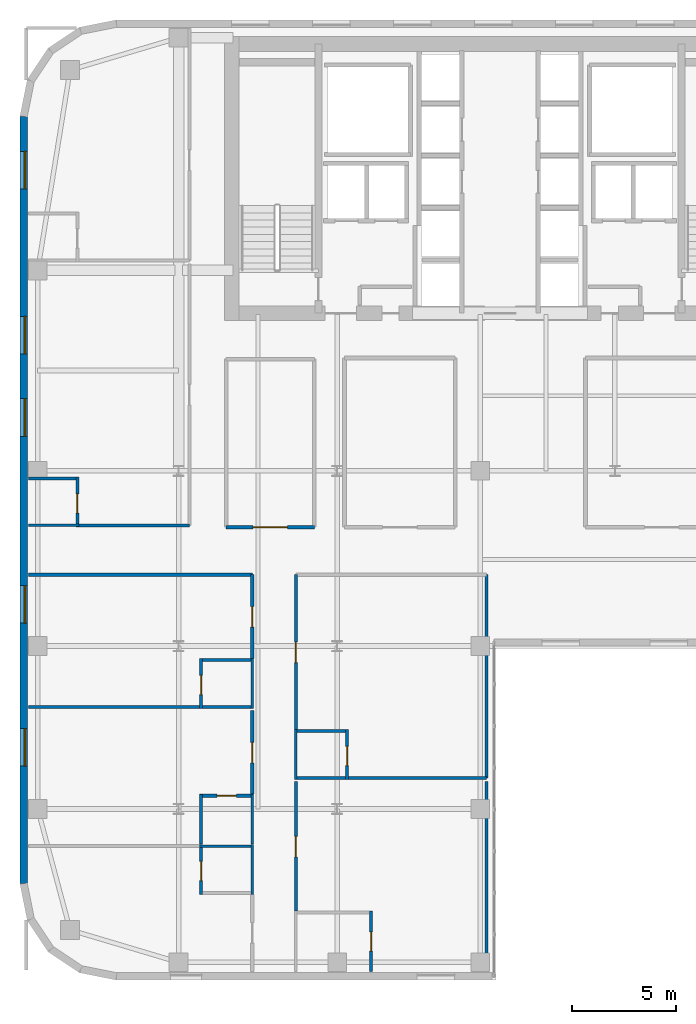
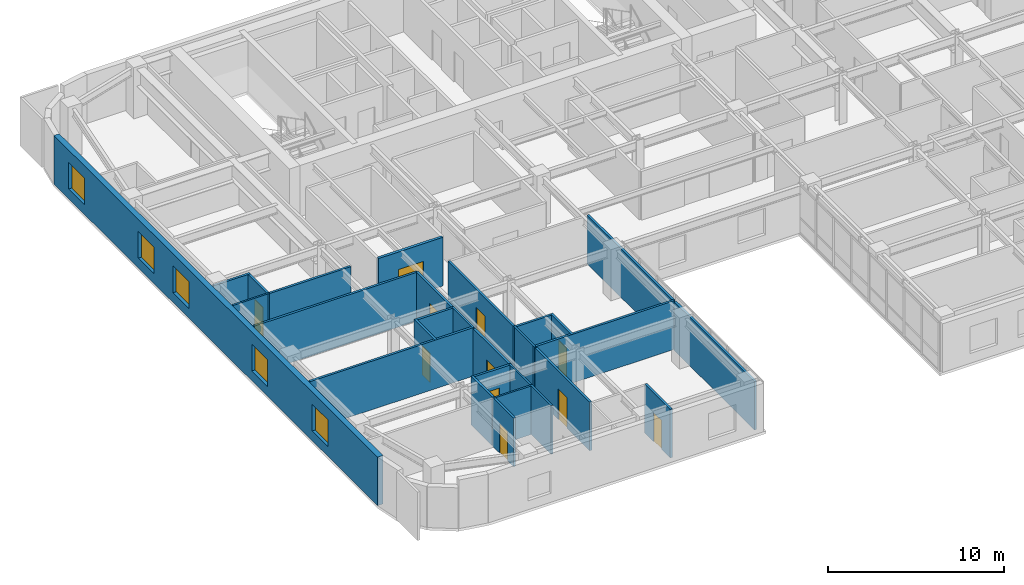
# One storey, part 10 of 16: 28 walls, 11 doors, 5 windows, 16 openings.
"""IFC4 building model written with IfcOpenShell, lengths in metres."""

from ifc_helpers import new_model, si_unit, direction, frame, frame_2d, origin, place, context, subcontext, project, spatial, rectangle, extrude, source, transform, mapped, material, layer, layer_set, type_object, type_shapes, element, fill, save


model = new_model("IFC4")

# Units and contexts
model_context = context("Model", 3, precision=1e-05, world=origin(), true_north=direction((0.0, 1.0)))
body_context = subcontext(model_context, "Body", "Model", "MODEL_VIEW")
ifc_project = project(units=[si_unit("LENGTHUNIT", "METRE"), si_unit("AREAUNIT", "SQUARE_METRE"), si_unit("VOLUMEUNIT", "CUBIC_METRE"), si_unit("PLANEANGLEUNIT", "RADIAN"), si_unit("MASSUNIT", "GRAM", prefix="KILO")], contexts=[model_context])

# Site, building, storey
site_placement = place(None, origin())
site = spatial("IfcSite", under=ifc_project, at=site_placement, CompositionType="ELEMENT")
building_placement = place(site_placement, origin())
building = spatial("IfcBuilding", under=site, at=building_placement, Name="Tolvann Quenvar Hotel", CompositionType="ELEMENT")
storey_placement = place(building_placement, frame((0.0, 0.0, 115.10009765625)))
storey = spatial("IfcBuildingStorey", under=building, at=storey_placement, Name="L29", CompositionType="ELEMENT", Elevation=115.10009765625)

# Wall, openings, windows
ifc_material_1 = material(Name="Kiln-fired red and buff architectural clay brickwork and terracotta masonry", Category="masonry")
ifc_layer_1 = layer(ifc_material_1, 0.35009765625)
ifc_layer_set_1 = layer_set([ifc_layer_1], Name="Kiln-fired red and buff architectural clay brickwork and terracotta masonry")
wall_type_1 = type_object("IfcWallType", Name="WALL_EXT_BRICK_350", PredefinedType="SOLIDWALL", material=ifc_layer_set_1)
wall_1_placement = place(storey_placement, frame((0.175048828125, 41.3828125, 0.0), z_axis=(0.0, 0.0, 1.0), x_axis=(0.0, -1.0, 0.0)))
wall_1 = element("IfcWall", 1, at=wall_1_placement, inside=storey, type_object=wall_type_1, Name="Exterior Chicago Brick Wall L29-E23", PredefinedType="SOLIDWALL", context=body_context, shape_type="SweptSolid", body=[
    extrude(rectangle(XDim=36.765625, YDim=0.35009765625, at=frame_2d((18.3828125, 0.0))), origin(), (0.0, 0.0, 1.0), 3.369873046875),
])
opening_1_placement = place(wall_1_placement, frame((1.676025390625, 0.0, 0.679931640625)))
opening_1 = element("IfcOpeningElement", 2, at=opening_1_placement, cuts=wall_1, Name="Opening W-03", PredefinedType="OPENING", context=body_context, shape_type="SweptSolid", body=[
    extrude(rectangle(XDim=1.800048828125, YDim=1.85009765625, at=frame_2d((0.89990234375, 0.925048828125))), frame((0.0, 0.18505859375, 0.0), z_axis=(0.0, -1.0, 0.0), x_axis=(1.0, 0.0, 0.0)), (0.0, 0.0, 1.0), 0.3701171875),
])
opening_2_placement = place(wall_1_placement, frame((9.5791015625, 0.0, 0.679931640625)))
opening_2 = element("IfcOpeningElement", 3, at=opening_2_placement, cuts=wall_1, Name="Opening W-03", PredefinedType="OPENING", context=body_context, shape_type="SweptSolid", body=[
    extrude(rectangle(XDim=1.800048828125, YDim=1.85009765625, at=frame_2d((0.89990234375, 0.925048828125))), frame((0.0, 0.18505859375, 0.0), z_axis=(0.0, -1.0, 0.0), x_axis=(1.0, 0.0, 0.0)), (0.0, 0.0, 1.0), 0.3701171875),
])
opening_3_placement = place(wall_1_placement, frame((13.531005859375, 0.0, 0.679931640625)))
opening_3 = element("IfcOpeningElement", 4, at=opening_3_placement, cuts=wall_1, Name="Opening W-03", PredefinedType="OPENING", context=body_context, shape_type="SweptSolid", body=[
    extrude(rectangle(XDim=1.800048828125, YDim=1.85009765625, at=frame_2d((0.89990234375, 0.925048828125))), frame((0.0, 0.18505859375, 0.0), z_axis=(0.0, -1.0, 0.0), x_axis=(1.0, 0.0, 0.0)), (0.0, 0.0, 1.0), 0.3701171875),
])
opening_4_placement = place(wall_1_placement, frame((22.485107421875, 0.0, 0.679931640625)))
opening_4 = element("IfcOpeningElement", 5, at=opening_4_placement, cuts=wall_1, Name="Opening W-03", PredefinedType="OPENING", context=body_context, shape_type="SweptSolid", body=[
    extrude(rectangle(XDim=1.800048828125, YDim=1.85009765625, at=frame_2d((0.89990234375, 0.925048828125))), frame((0.0, 0.18505859375, 0.0), z_axis=(0.0, -1.0, 0.0), x_axis=(1.0, 0.0, 0.0)), (0.0, 0.0, 1.0), 0.3701171875),
])
opening_5_placement = place(wall_1_placement, frame((29.337890625, 0.0, 0.679931640625)))
opening_5 = element("IfcOpeningElement", 6, at=opening_5_placement, cuts=wall_1, Name="Opening W-03", PredefinedType="OPENING", context=body_context, shape_type="SweptSolid", body=[
    extrude(rectangle(XDim=1.800048828125, YDim=1.85009765625, at=frame_2d((0.89990234375, 0.925048828125))), frame((0.0, 0.18505859375, 0.0), z_axis=(0.0, -1.0, 0.0), x_axis=(1.0, 0.0, 0.0)), (0.0, 0.0, 1.0), 0.3701171875),
])
ifc_material_2 = material(Name="Thermally broken bronze-anodised aluminium frame with double low-E glazing", Category="aluminium")
window_type = type_object("IfcWindowType", Name="WIN_CHI_1800x2050", PartitioningType="TRIPLE_PANEL_HORIZONTAL", PredefinedType="WINDOW", material=ifc_material_2)
shared_shape_1 = source(origin(), body_context, "Body", "SweptSolid", [
    extrude(rectangle(XDim=1.800048828125, YDim=1.85009765625, at=frame_2d((0.89990234375, 0.925048828125))), frame((0.0, 0.090087890625, 0.0), z_axis=(0.0, -1.0, 0.0), x_axis=(1.0, 0.0, 0.0)), (0.0, 0.0, 1.0), 0.06005859375),
])
type_shapes(window_type, [shared_shape_1])
window_1_placement = place(opening_1_placement, origin())
window_1 = element("IfcWindow", 7, at=window_1_placement, inside=storey, type_object=window_type, Name="Chicago Window W-03 (EW-L29-E23-W01)", OverallHeight=1.85009765625, OverallWidth=1.800048828125, PartitioningType="TRIPLE_PANEL_HORIZONTAL", PredefinedType="WINDOW", context=body_context, shape_type="MappedRepresentation", body=[
    mapped(shared_shape_1, transform((0.0, 0.0, 0.0), x_axis=(1.0, 0.0, 0.0), y_axis=(0.0, 1.0, 0.0), z_axis=(0.0, 0.0, 1.0), scale=1.0)),
])
fill(opening_1, window_1)
window_2_placement = place(opening_2_placement, origin())
window_2 = element("IfcWindow", 8, at=window_2_placement, inside=storey, type_object=window_type, Name="Chicago Window W-03 (EW-L29-E23-W02)", OverallHeight=1.85009765625, OverallWidth=1.800048828125, PartitioningType="TRIPLE_PANEL_HORIZONTAL", PredefinedType="WINDOW", context=body_context, shape_type="MappedRepresentation", body=[
    mapped(shared_shape_1, transform((0.0, 0.0, 0.0), x_axis=(1.0, 0.0, 0.0), y_axis=(0.0, 1.0, 0.0), z_axis=(0.0, 0.0, 1.0), scale=1.0)),
])
fill(opening_2, window_2)
window_3_placement = place(opening_3_placement, origin())
window_3 = element("IfcWindow", 9, at=window_3_placement, inside=storey, type_object=window_type, Name="Chicago Window W-03 (EW-L29-E23-W03)", OverallHeight=1.85009765625, OverallWidth=1.800048828125, PartitioningType="TRIPLE_PANEL_HORIZONTAL", PredefinedType="WINDOW", context=body_context, shape_type="MappedRepresentation", body=[
    mapped(shared_shape_1, transform((0.0, 0.0, 0.0), x_axis=(1.0, 0.0, 0.0), y_axis=(0.0, 1.0, 0.0), z_axis=(0.0, 0.0, 1.0), scale=1.0)),
])
fill(opening_3, window_3)
window_4_placement = place(opening_4_placement, origin())
window_4 = element("IfcWindow", 10, at=window_4_placement, inside=storey, type_object=window_type, Name="Chicago Window W-03 (EW-L29-E23-W04)", OverallHeight=1.85009765625, OverallWidth=1.800048828125, PartitioningType="TRIPLE_PANEL_HORIZONTAL", PredefinedType="WINDOW", context=body_context, shape_type="MappedRepresentation", body=[
    mapped(shared_shape_1, transform((0.0, 0.0, 0.0), x_axis=(1.0, 0.0, 0.0), y_axis=(0.0, 1.0, 0.0), z_axis=(0.0, 0.0, 1.0), scale=1.0)),
])
fill(opening_4, window_4)
window_5_placement = place(opening_5_placement, origin())
window_5 = element("IfcWindow", 11, at=window_5_placement, inside=storey, type_object=window_type, Name="Chicago Window W-03 (EW-L29-E23-W05)", OverallHeight=1.85009765625, OverallWidth=1.800048828125, PartitioningType="TRIPLE_PANEL_HORIZONTAL", PredefinedType="WINDOW", context=body_context, shape_type="MappedRepresentation", body=[
    mapped(shared_shape_1, transform((0.0, 0.0, 0.0), x_axis=(1.0, 0.0, 0.0), y_axis=(0.0, 1.0, 0.0), z_axis=(0.0, 0.0, 1.0), scale=1.0)),
])
fill(opening_5, window_5)

# Wall, opening, door
ifc_material_3 = material(Name="Acoustic twin-stud fire-rated gypsum plasterboard partition")
ifc_layer_2 = layer(ifc_material_3, 0.179931640625)
ifc_layer_set_2 = layer_set([ifc_layer_2], Name="Acoustic twin-stud fire-rated gypsum plasterboard partition")
wall_type_2 = type_object("IfcWallType", Name="WALL_PART_ACOUSTIC_180", PredefinedType="PARTITIONING", material=ifc_layer_set_2)
wall_2_placement = place(storey_placement, frame((9.8798828125, 21.699951171875, 0.0), z_axis=(0.0, 0.0, 1.0), x_axis=(1.0, 0.0, 0.0)))
wall_2 = element("IfcWall", 12, at=wall_2_placement, inside=storey, type_object=wall_type_2, Name="Interior Partition PT-SPC-L29-MSP-W-S", PredefinedType="PARTITIONING", context=body_context, shape_type="SweptSolid", body=[
    extrude(rectangle(XDim=4.22021484375, YDim=0.179931640625, at=frame_2d((2.110107421875, 0.0))), origin(), (0.0, 0.0, 1.0), 3.369873046875),
])
opening_6_placement = place(wall_2_placement, frame((1.284912109375, 0.0, 0.0)))
opening_6 = element("IfcOpeningElement", 13, at=opening_6_placement, cuts=wall_2, Name="Opening AD-01", PredefinedType="OPENING", context=body_context, shape_type="SweptSolid", body=[
    extrude(rectangle(XDim=1.64990234375, YDim=2.14990234375, at=frame_2d((0.824951171875, 1.074951171875))), frame((0.0, 0.10009765625, 0.0), z_axis=(0.0, -1.0, 0.0), x_axis=(1.0, 0.0, 0.0)), (0.0, 0.0, 1.0), 0.199951171875),
])
ifc_material_4 = material(Name="Solid-core American oak acoustic fire door leaf in steel frame", Category="steel")
door_type_1 = type_object("IfcDoorType", Name="DOOR_SALON_1650", OperationType="NOTDEFINED", PredefinedType="DOOR", material=ifc_material_4)
shared_shape_2 = source(origin(), body_context, "Body", "SweptSolid", [
    extrude(rectangle(XDim=1.64990234375, YDim=2.14990234375, at=frame_2d((0.824951171875, 1.074951171875))), frame((0.0, 0.02490234375, 0.0), z_axis=(0.0, -1.0, 0.0), x_axis=(1.0, 0.0, 0.0)), (0.0, 0.0, 1.0), 0.050048828125),
])
type_shapes(door_type_1, [shared_shape_2])
door_1_placement = place(opening_6_placement, origin())
door_1 = element("IfcDoor", 14, at=door_1_placement, inside=storey, type_object=door_type_1, Name="Interior Door DOOR-SPC-L29-MSP-W", OperationType="DOUBLE_DOOR_SINGLE_SWING", OverallHeight=2.14990234375, OverallWidth=1.64990234375, PredefinedType="DOOR", context=body_context, shape_type="MappedRepresentation", body=[
    mapped(shared_shape_2, transform((0.0, 0.0, 0.0), x_axis=(1.0, 0.0, 0.0), y_axis=(0.0, 1.0, 0.0), z_axis=(0.0, 0.0, 1.0), scale=1.0)),
])
fill(opening_6, door_1)

# Walls
ifc_material_5 = material(Name="Moisture-resistant acoustic plumbing wall assembly")
ifc_layer_3 = layer(ifc_material_5, 0.1201171875)
ifc_layer_set_3 = layer_set([ifc_layer_3], Name="Moisture-resistant acoustic plumbing wall assembly")
wall_type_3 = type_object("IfcWallType", Name="WALL_PART_BATH_120", PredefinedType="PLUMBINGWALL", material=ifc_layer_set_3)
wall_3_placement = place(storey_placement, frame((8.610107421875, 6.419921875, 0.0), z_axis=(0.0, 0.0, 1.0), x_axis=(1.0, 0.0, 0.0)))
element("IfcWall", 15, at=wall_3_placement, inside=storey, type_object=wall_type_3, Name="Non-Rated Plumbing Partition PT-SPC-L29-ENS-WO01-N", PredefinedType="PLUMBINGWALL", context=body_context, shape_type="SweptSolid", body=[
    extrude(rectangle(XDim=2.58984375, YDim=0.1201171875, at=frame_2d((1.294921875, 0.0))), origin(), (0.0, 0.0, 1.0), 3.369873046875),
])
for number, where, z_axis, x_axis, name in (
    (16, (11.1298828125, 4.10009765625, 0.0), (0.0, 0.0, 1.0), (0.0, 1.0, 0.0), "Non-Rated Plumbing Partition PT-SPC-L29-ENS-WO01-E"),
    (17, (11.1298828125, 6.510009765625, 0.0), (0.0, 0.0, 1.0), (0.0, 1.0, 0.0), "Non-Rated Plumbing Partition PT-SPC-L29-ENS-WO02-E"),
    (18, (11.1298828125, 13.010009765625, 0.0), (0.0, 0.0, 1.0), (0.0, 1.0, 0.0), "Non-Rated Plumbing Partition PT-SPC-L29-ENS-WO03-E"),
    (19, (13.219970703125, 9.610107421875, 0.0), (0.0, 0.0, 1.0), (0.0, 1.0, 0.0), "Non-Rated Plumbing Partition PT-SPC-L29-ENS-WI02-W"),
):
    element("IfcWall", number, at=place(storey_placement, frame(where, z_axis=z_axis, x_axis=x_axis)), inside=storey, type_object=wall_type_3, Name=name, PredefinedType="PLUMBINGWALL", context=body_context, shape_type="SweptSolid", body=[
        extrude(rectangle(XDim=2.389892578125, YDim=0.1201171875, at=frame_2d((1.19482421875, 0.0))), origin(), (0.0, 0.0, 1.0), 3.369873046875),
    ])
wall_4_placement = place(storey_placement, frame((0.405029296875, 21.780029296875, 0.0), z_axis=(0.0, 0.0, 1.0), x_axis=(1.0, 0.0, 0.0)))
element("IfcWall", 20, at=wall_4_placement, inside=storey, type_object=wall_type_3, Name="Non-Rated Plumbing Partition PT-SPC-L29-ENS-NW01-S", PredefinedType="PLUMBINGWALL", context=body_context, shape_type="SweptSolid", body=[
    extrude(rectangle(XDim=2.4150390625, YDim=0.1201171875, at=frame_2d((1.20751953125, 0.0))), origin(), (0.0, 0.0, 1.0), 3.369873046875),
])

# Wall, opening, door
ifc_layer_4 = layer(ifc_material_3, 0.14990234375)
ifc_layer_set_4 = layer_set([ifc_layer_4], Name="Acoustic twin-stud fire-rated gypsum plasterboard partition")
wall_type_4 = type_object("IfcWallType", Name="WALL_PART_SUITE_150", PredefinedType="PARTITIONING", material=ifc_layer_set_4)
wall_5_placement = place(storey_placement, frame((8.679931640625, 4.10009765625, 0.0), z_axis=(0.0, 0.0, 1.0), x_axis=(0.0, 1.0, 0.0)))
wall_5 = element("IfcWall", 21, at=wall_5_placement, inside=storey, type_object=wall_type_4, Name="Interior Partition PT-SPC-L29-ENS-WO01-ENT", PredefinedType="PARTITIONING", context=body_context, shape_type="SweptSolid", body=[
    extrude(rectangle(XDim=2.389892578125, YDim=0.14990234375, at=frame_2d((1.19482421875, 0.0))), origin(), (0.0, 0.0, 1.0), 3.369873046875),
])
opening_7_placement = place(wall_5_placement, frame((0.6650390625, 0.0, 0.0)))
opening_7 = element("IfcOpeningElement", 22, at=opening_7_placement, cuts=wall_5, Name="Opening WD-01", PredefinedType="OPENING", context=body_context, shape_type="SweptSolid", body=[
    extrude(rectangle(XDim=0.919921875, YDim=2.010009765625, at=frame_2d((0.4599609375, 1.0048828125))), frame((0.0, 0.0849609375, 0.0), z_axis=(0.0, -1.0, 0.0), x_axis=(1.0, 0.0, 0.0)), (0.0, 0.0, 1.0), 0.169921875),
])
door_type_2 = type_object("IfcDoorType", Name="DOOR_WC_920", OperationType="NOTDEFINED", PredefinedType="DOOR", material=ifc_material_4)
shared_shape_3 = source(origin(), body_context, "Body", "SweptSolid", [
    extrude(rectangle(XDim=0.919921875, YDim=2.010009765625, at=frame_2d((0.4599609375, 1.0048828125))), frame((0.0, 0.02490234375, 0.0), z_axis=(0.0, -1.0, 0.0), x_axis=(1.0, 0.0, 0.0)), (0.0, 0.0, 1.0), 0.050048828125),
])
type_shapes(door_type_2, [shared_shape_3])
door_2_placement = place(opening_7_placement, origin())
door_2 = element("IfcDoor", 23, at=door_2_placement, inside=storey, type_object=door_type_2, Name="Interior Door DOOR-SPC-L29-ENS-WO01", OperationType="SINGLE_SWING_LEFT", OverallHeight=2.010009765625, OverallWidth=0.919921875, PredefinedType="DOOR", context=body_context, shape_type="MappedRepresentation", body=[
    mapped(shared_shape_3, transform((0.0, 0.0, 0.0), x_axis=(1.0, 0.0, 0.0), y_axis=(0.0, 1.0, 0.0), z_axis=(0.0, 0.0, 1.0), scale=1.0)),
])
fill(opening_7, door_2)

# Wall
wall_6_placement = place(storey_placement, frame((8.679931640625, 6.510009765625, 0.0), z_axis=(0.0, 0.0, 1.0), x_axis=(0.0, 1.0, 0.0)))
element("IfcWall", 24, at=wall_6_placement, inside=storey, type_object=wall_type_4, Name="Interior Partition PT-SPC-L29-ENS-WO02-ENT", PredefinedType="PARTITIONING", context=body_context, shape_type="SweptSolid", body=[
    extrude(rectangle(XDim=2.389892578125, YDim=0.14990234375, at=frame_2d((1.19482421875, 0.0))), origin(), (0.0, 0.0, 1.0), 3.369873046875),
])

# Wall, opening, door
wall_7_placement = place(storey_placement, frame((8.610107421875, 8.830078125, 0.0), z_axis=(0.0, 0.0, 1.0), x_axis=(1.0, 0.0, 0.0)))
wall_7 = element("IfcWall", 25, at=wall_7_placement, inside=storey, type_object=wall_type_4, Name="Interior Partition PT-SPC-L29-ENS-WO02-N", PredefinedType="PARTITIONING", context=body_context, shape_type="SweptSolid", body=[
    extrude(rectangle(XDim=2.58984375, YDim=0.14990234375, at=frame_2d((1.294921875, 0.0))), origin(), (0.0, 0.0, 1.0), 3.369873046875),
])
opening_8_placement = place(wall_7_placement, frame((0.8349609375, 0.0, 0.0)))
opening_8 = element("IfcOpeningElement", 26, at=opening_8_placement, cuts=wall_7, Name="Opening WD-01", PredefinedType="OPENING", context=body_context, shape_type="SweptSolid", body=[
    extrude(rectangle(XDim=0.919921875, YDim=2.010009765625, at=frame_2d((0.4599609375, 1.0048828125))), frame((0.0, 0.0849609375, 0.0), z_axis=(0.0, -1.0, 0.0), x_axis=(1.0, 0.0, 0.0)), (0.0, 0.0, 1.0), 0.169921875),
])
door_3_placement = place(opening_8_placement, origin())
door_3 = element("IfcDoor", 27, at=door_3_placement, inside=storey, type_object=door_type_2, Name="Interior Door DOOR-SPC-L29-ENS-WO02", OperationType="SINGLE_SWING_RIGHT", OverallHeight=2.010009765625, OverallWidth=0.919921875, PredefinedType="DOOR", context=body_context, shape_type="MappedRepresentation", body=[
    mapped(shared_shape_3, transform((0.0, 0.0, 0.0), x_axis=(1.0, 0.0, 0.0), y_axis=(0.0, 1.0, 0.0), z_axis=(0.0, 0.0, 1.0), scale=1.0)),
])
fill(opening_8, door_3)

wall_8_placement = place(storey_placement, frame((8.679931640625, 13.010009765625, 0.0), z_axis=(0.0, 0.0, 1.0), x_axis=(0.0, 1.0, 0.0)))
wall_8 = element("IfcWall", 28, at=wall_8_placement, inside=storey, type_object=wall_type_4, Name="Interior Partition PT-SPC-L29-ENS-WO03-ENT", PredefinedType="PARTITIONING", context=body_context, shape_type="SweptSolid", body=[
    extrude(rectangle(XDim=2.389892578125, YDim=0.14990234375, at=frame_2d((1.19482421875, 0.0))), origin(), (0.0, 0.0, 1.0), 3.369873046875),
])
opening_9_placement = place(wall_8_placement, frame((0.6650390625, 0.0, 0.0)))
opening_9 = element("IfcOpeningElement", 29, at=opening_9_placement, cuts=wall_8, Name="Opening WD-01", PredefinedType="OPENING", context=body_context, shape_type="SweptSolid", body=[
    extrude(rectangle(XDim=0.919921875, YDim=2.010009765625, at=frame_2d((0.4599609375, 1.0048828125))), frame((0.0, 0.0849609375, 0.0), z_axis=(0.0, -1.0, 0.0), x_axis=(1.0, 0.0, 0.0)), (0.0, 0.0, 1.0), 0.169921875),
])
door_4_placement = place(opening_9_placement, origin())
door_4 = element("IfcDoor", 30, at=door_4_placement, inside=storey, type_object=door_type_2, Name="Interior Door DOOR-SPC-L29-ENS-WO03", OperationType="SINGLE_SWING_LEFT", OverallHeight=2.010009765625, OverallWidth=0.919921875, PredefinedType="DOOR", context=body_context, shape_type="MappedRepresentation", body=[
    mapped(shared_shape_3, transform((0.0, 0.0, 0.0), x_axis=(1.0, 0.0, 0.0), y_axis=(0.0, 1.0, 0.0), z_axis=(0.0, 0.0, 1.0), scale=1.0)),
])
fill(opening_9, door_4)

# Walls
wall_9_placement = place(storey_placement, frame((0.405029296875, 13.080078125, 0.0), z_axis=(0.0, 0.0, 1.0), x_axis=(1.0, 0.0, 0.0)))
element("IfcWall", 31, at=wall_9_placement, inside=storey, type_object=wall_type_4, Name="Interior Partition PT-SPC-L29-ENS-WO03-S", PredefinedType="PARTITIONING", context=body_context, shape_type="SweptSolid", body=[
    extrude(rectangle(XDim=10.794921875, YDim=0.14990234375, at=frame_2d((5.3974609375, 0.0))), origin(), (0.0, 0.0, 1.0), 3.369873046875),
])
wall_10_placement = place(storey_placement, frame((8.610107421875, 15.330078125, 0.0), z_axis=(0.0, 0.0, 1.0), x_axis=(1.0, 0.0, 0.0)))
element("IfcWall", 32, at=wall_10_placement, inside=storey, type_object=wall_type_4, Name="Interior Partition PT-SPC-L29-ENS-WO03-N", PredefinedType="PARTITIONING", context=body_context, shape_type="SweptSolid", body=[
    extrude(rectangle(XDim=2.58984375, YDim=0.14990234375, at=frame_2d((1.294921875, 0.0))), origin(), (0.0, 0.0, 1.0), 3.369873046875),
])

# Wall, opening, door
wall_11_placement = place(storey_placement, frame((16.820068359375, 0.405029296875, 0.0), z_axis=(0.0, 0.0, 1.0), x_axis=(0.0, 1.0, 0.0)))
wall_11 = element("IfcWall", 33, at=wall_11_placement, inside=storey, type_object=wall_type_4, Name="Interior Partition PT-SPC-L29-ENS-WI01-ENT", PredefinedType="PARTITIONING", context=body_context, shape_type="SweptSolid", body=[
    extrude(rectangle(XDim=2.89501953125, YDim=0.14990234375, at=frame_2d((1.447509765625, 0.0))), origin(), (0.0, 0.0, 1.0), 3.369873046875),
])
opening_10_placement = place(wall_11_placement, frame((0.97998046875, 0.0, 0.0)))
opening_10 = element("IfcOpeningElement", 34, at=opening_10_placement, cuts=wall_11, Name="Opening WD-01", PredefinedType="OPENING", context=body_context, shape_type="SweptSolid", body=[
    extrude(rectangle(XDim=0.919921875, YDim=2.010009765625, at=frame_2d((0.4599609375, 1.0048828125))), frame((0.0, 0.0849609375, 0.0), z_axis=(0.0, -1.0, 0.0), x_axis=(1.0, 0.0, 0.0)), (0.0, 0.0, 1.0), 0.169921875),
])
door_5_placement = place(opening_10_placement, origin())
door_5 = element("IfcDoor", 35, at=door_5_placement, inside=storey, type_object=door_type_2, Name="Interior Door DOOR-SPC-L29-ENS-WI01", OperationType="SINGLE_SWING_RIGHT", OverallHeight=2.010009765625, OverallWidth=0.919921875, PredefinedType="DOOR", context=body_context, shape_type="MappedRepresentation", body=[
    mapped(shared_shape_3, transform((0.0, 0.0, 0.0), x_axis=(1.0, 0.0, 0.0), y_axis=(0.0, 1.0, 0.0), z_axis=(0.0, 0.0, 1.0), scale=1.0)),
])
fill(opening_10, door_5)

wall_12_placement = place(storey_placement, frame((15.669921875, 9.610107421875, 0.0), z_axis=(0.0, 0.0, 1.0), x_axis=(0.0, 1.0, 0.0)))
wall_12 = element("IfcWall", 36, at=wall_12_placement, inside=storey, type_object=wall_type_4, Name="Interior Partition PT-SPC-L29-ENS-WI02-ENT", PredefinedType="PARTITIONING", context=body_context, shape_type="SweptSolid", body=[
    extrude(rectangle(XDim=2.389892578125, YDim=0.14990234375, at=frame_2d((1.19482421875, 0.0))), origin(), (0.0, 0.0, 1.0), 3.369873046875),
])
opening_11_placement = place(wall_12_placement, frame((0.6650390625, 0.0, 0.0)))
opening_11 = element("IfcOpeningElement", 37, at=opening_11_placement, cuts=wall_12, Name="Opening WD-01", PredefinedType="OPENING", context=body_context, shape_type="SweptSolid", body=[
    extrude(rectangle(XDim=0.919921875, YDim=2.010009765625, at=frame_2d((0.4599609375, 1.0048828125))), frame((0.0, 0.0849609375, 0.0), z_axis=(0.0, -1.0, 0.0), x_axis=(1.0, 0.0, 0.0)), (0.0, 0.0, 1.0), 0.169921875),
])
door_6_placement = place(opening_11_placement, origin())
door_6 = element("IfcDoor", 38, at=door_6_placement, inside=storey, type_object=door_type_2, Name="Interior Door DOOR-SPC-L29-ENS-WI02", OperationType="SINGLE_SWING_LEFT", OverallHeight=2.010009765625, OverallWidth=0.919921875, PredefinedType="DOOR", context=body_context, shape_type="MappedRepresentation", body=[
    mapped(shared_shape_3, transform((0.0, 0.0, 0.0), x_axis=(1.0, 0.0, 0.0), y_axis=(0.0, 1.0, 0.0), z_axis=(0.0, 0.0, 1.0), scale=1.0)),
])
fill(opening_11, door_6)

# Walls
wall_13_placement = place(storey_placement, frame((13.14990234375, 9.679931640625, 0.0), z_axis=(0.0, 0.0, 1.0), x_axis=(1.0, 0.0, 0.0)))
element("IfcWall", 39, at=wall_13_placement, inside=storey, type_object=wall_type_4, Name="Interior Partition PT-SPC-L29-ENS-WI02-S", PredefinedType="PARTITIONING", context=body_context, shape_type="SweptSolid", body=[
    extrude(rectangle(XDim=9.2001953125, YDim=0.14990234375, at=frame_2d((4.60009765625, 0.0))), origin(), (0.0, 0.0, 1.0), 3.369873046875),
])
wall_14_placement = place(storey_placement, frame((13.14990234375, 11.929931640625, 0.0), z_axis=(0.0, 0.0, 1.0), x_axis=(1.0, 0.0, 0.0)))
element("IfcWall", 40, at=wall_14_placement, inside=storey, type_object=wall_type_4, Name="Interior Partition PT-SPC-L29-ENS-WI02-N", PredefinedType="PARTITIONING", context=body_context, shape_type="SweptSolid", body=[
    extrude(rectangle(XDim=2.590087890625, YDim=0.14990234375, at=frame_2d((1.294921875, 0.0))), origin(), (0.0, 0.0, 1.0), 3.369873046875),
])

# Wall, opening, door
wall_15_placement = place(storey_placement, frame((2.75, 21.7099609375, 0.0), z_axis=(0.0, 0.0, 1.0), x_axis=(0.0, 1.0, 0.0)))
wall_15 = element("IfcWall", 41, at=wall_15_placement, inside=storey, type_object=wall_type_4, Name="Interior Partition PT-SPC-L29-ENS-NW01-ENT", PredefinedType="PARTITIONING", context=body_context, shape_type="SweptSolid", body=[
    extrude(rectangle(XDim=2.39013671875, YDim=0.14990234375, at=frame_2d((1.195068359375, 0.0))), origin(), (0.0, 0.0, 1.0), 3.369873046875),
])
opening_12_placement = place(wall_15_placement, frame((0.6650390625, 0.0, 0.0)))
opening_12 = element("IfcOpeningElement", 42, at=opening_12_placement, cuts=wall_15, Name="Opening WD-01", PredefinedType="OPENING", context=body_context, shape_type="SweptSolid", body=[
    extrude(rectangle(XDim=0.919921875, YDim=2.010009765625, at=frame_2d((0.4599609375, 1.0048828125))), frame((0.0, 0.0849609375, 0.0), z_axis=(0.0, -1.0, 0.0), x_axis=(1.0, 0.0, 0.0)), (0.0, 0.0, 1.0), 0.169921875),
])
door_7_placement = place(opening_12_placement, origin())
door_7 = element("IfcDoor", 43, at=door_7_placement, inside=storey, type_object=door_type_2, Name="Interior Door DOOR-SPC-L29-ENS-NW01", OperationType="SINGLE_SWING_RIGHT", OverallHeight=2.010009765625, OverallWidth=0.919921875, PredefinedType="DOOR", context=body_context, shape_type="MappedRepresentation", body=[
    mapped(shared_shape_3, transform((0.0, 0.0, 0.0), x_axis=(1.0, 0.0, 0.0), y_axis=(0.0, 1.0, 0.0), z_axis=(0.0, 0.0, 1.0), scale=1.0)),
])
fill(opening_12, door_7)

# Wall
wall_16_placement = place(storey_placement, frame((0.405029296875, 24.030029296875, 0.0), z_axis=(0.0, 0.0, 1.0), x_axis=(1.0, 0.0, 0.0)))
element("IfcWall", 44, at=wall_16_placement, inside=storey, type_object=wall_type_4, Name="Interior Partition PT-SPC-L29-ENS-NW01-N", PredefinedType="PARTITIONING", context=body_context, shape_type="SweptSolid", body=[
    extrude(rectangle(XDim=2.4150390625, YDim=0.14990234375, at=frame_2d((1.20751953125, 0.0))), origin(), (0.0, 0.0, 1.0), 3.369873046875),
])

# Wall, opening, door
wall_17_placement = place(storey_placement, frame((11.1298828125, 8.909912109375, 0.0), z_axis=(0.0, 0.0, 1.0), x_axis=(0.0, 1.0, 0.0)))
wall_17 = element("IfcWall", 45, at=wall_17_placement, inside=storey, type_object=wall_type_4, Name="Interior Partition PT-SPC-L29-RM-WO02-ENT", PredefinedType="PARTITIONING", context=body_context, shape_type="SweptSolid", body=[
    extrude(rectangle(XDim=4.010009765625, YDim=0.14990234375, at=frame_2d((2.0048828125, 0.0))), origin(), (0.0, 0.0, 1.0), 3.369873046875),
])
opening_13_placement = place(wall_17_placement, frame((1.4951171875, 0.0, 0.0)))
opening_13 = element("IfcOpeningElement", 46, at=opening_13_placement, cuts=wall_17, Name="Opening SD-01", PredefinedType="OPENING", context=body_context, shape_type="SweptSolid", body=[
    extrude(rectangle(XDim=0.97998046875, YDim=2.1201171875, at=frame_2d((0.489990234375, 1.06005859375))), frame((0.0, 0.0849609375, 0.0), z_axis=(0.0, -1.0, 0.0), x_axis=(1.0, 0.0, 0.0)), (0.0, 0.0, 1.0), 0.169921875),
])
door_type_3 = type_object("IfcDoorType", Name="DOOR_SUITE_980", OperationType="NOTDEFINED", PredefinedType="DOOR", material=ifc_material_4)
shared_shape_4 = source(origin(), body_context, "Body", "SweptSolid", [
    extrude(rectangle(XDim=0.97998046875, YDim=2.1201171875, at=frame_2d((0.489990234375, 1.06005859375))), frame((0.0, 0.02490234375, 0.0), z_axis=(0.0, -1.0, 0.0), x_axis=(1.0, 0.0, 0.0)), (0.0, 0.0, 1.0), 0.050048828125),
])
type_shapes(door_type_3, [shared_shape_4])
door_8_placement = place(opening_13_placement, origin())
door_8 = element("IfcDoor", 47, at=door_8_placement, inside=storey, type_object=door_type_3, Name="Interior Door DOOR-SPC-L29-RM-WO02", OperationType="SINGLE_SWING_RIGHT", OverallHeight=2.1201171875, OverallWidth=0.97998046875, PredefinedType="DOOR", context=body_context, shape_type="MappedRepresentation", body=[
    mapped(shared_shape_4, transform((0.0, 0.0, 0.0), x_axis=(1.0, 0.0, 0.0), y_axis=(0.0, 1.0, 0.0), z_axis=(0.0, 0.0, 1.0), scale=1.0)),
])
fill(opening_13, door_8)

wall_18_placement = place(storey_placement, frame((11.1298828125, 15.409912109375, 0.0), z_axis=(0.0, 0.0, 1.0), x_axis=(0.0, 1.0, 0.0)))
wall_18 = element("IfcWall", 48, at=wall_18_placement, inside=storey, type_object=wall_type_4, Name="Interior Partition PT-SPC-L29-RM-WO03-ENT", PredefinedType="PARTITIONING", context=body_context, shape_type="SweptSolid", body=[
    extrude(rectangle(XDim=4.010009765625, YDim=0.14990234375, at=frame_2d((2.0048828125, 0.0))), origin(), (0.0, 0.0, 1.0), 3.369873046875),
])
opening_14_placement = place(wall_18_placement, frame((1.4951171875, 0.0, 0.0)))
opening_14 = element("IfcOpeningElement", 49, at=opening_14_placement, cuts=wall_18, Name="Opening SD-01", PredefinedType="OPENING", context=body_context, shape_type="SweptSolid", body=[
    extrude(rectangle(XDim=0.97998046875, YDim=2.1201171875, at=frame_2d((0.489990234375, 1.06005859375))), frame((0.0, 0.0849609375, 0.0), z_axis=(0.0, -1.0, 0.0), x_axis=(1.0, 0.0, 0.0)), (0.0, 0.0, 1.0), 0.169921875),
])
door_9_placement = place(opening_14_placement, origin())
door_9 = element("IfcDoor", 50, at=door_9_placement, inside=storey, type_object=door_type_3, Name="Interior Door DOOR-SPC-L29-RM-WO03", OperationType="SINGLE_SWING_LEFT", OverallHeight=2.1201171875, OverallWidth=0.97998046875, PredefinedType="DOOR", context=body_context, shape_type="MappedRepresentation", body=[
    mapped(shared_shape_4, transform((0.0, 0.0, 0.0), x_axis=(1.0, 0.0, 0.0), y_axis=(0.0, 1.0, 0.0), z_axis=(0.0, 0.0, 1.0), scale=1.0)),
])
fill(opening_14, door_9)

# Wall
wall_19_placement = place(storey_placement, frame((0.405029296875, 19.419921875, 0.0), z_axis=(0.0, 0.0, 1.0), x_axis=(1.0, 0.0, 0.0)))
element("IfcWall", 51, at=wall_19_placement, inside=storey, type_object=wall_type_4, Name="Interior Partition PT-SPC-L29-RM-WO03-E5", PredefinedType="PARTITIONING", context=body_context, shape_type="SweptSolid", body=[
    extrude(rectangle(XDim=10.724853515625, YDim=0.14990234375, at=frame_2d((5.3623046875, 0.0))), origin(), (0.0, 0.0, 1.0), 3.369873046875),
])

# Wall, opening, door
wall_20_placement = place(storey_placement, frame((13.219970703125, 3.31005859375, 0.0), z_axis=(0.0, 0.0, 1.0), x_axis=(0.0, 1.0, 0.0)))
wall_20 = element("IfcWall", 52, at=wall_20_placement, inside=storey, type_object=wall_type_4, Name="Interior Partition PT-SPC-L29-RM-WI01-ENT", PredefinedType="PARTITIONING", context=body_context, shape_type="SweptSolid", body=[
    extrude(rectangle(XDim=6.2099609375, YDim=0.14990234375, at=frame_2d((3.10498046875, 0.0))), origin(), (0.0, 0.0, 1.0), 3.369873046875),
])
opening_15_placement = place(wall_20_placement, frame((2.594970703125, 0.0, 0.0)))
opening_15 = element("IfcOpeningElement", 53, at=opening_15_placement, cuts=wall_20, Name="Opening SD-01", PredefinedType="OPENING", context=body_context, shape_type="SweptSolid", body=[
    extrude(rectangle(XDim=0.97998046875, YDim=2.1201171875, at=frame_2d((0.489990234375, 1.06005859375))), frame((0.0, 0.0849609375, 0.0), z_axis=(0.0, -1.0, 0.0), x_axis=(1.0, 0.0, 0.0)), (0.0, 0.0, 1.0), 0.169921875),
])
door_10_placement = place(opening_15_placement, origin())
door_10 = element("IfcDoor", 54, at=door_10_placement, inside=storey, type_object=door_type_3, Name="Interior Door DOOR-SPC-L29-RM-WI01", OperationType="SINGLE_SWING_RIGHT", OverallHeight=2.1201171875, OverallWidth=0.97998046875, PredefinedType="DOOR", context=body_context, shape_type="MappedRepresentation", body=[
    mapped(shared_shape_4, transform((0.0, 0.0, 0.0), x_axis=(1.0, 0.0, 0.0), y_axis=(0.0, 1.0, 0.0), z_axis=(0.0, 0.0, 1.0), scale=1.0)),
])
fill(opening_15, door_10)

# Wall
wall_21_placement = place(storey_placement, frame((22.35009765625, 0.405029296875, 0.0), z_axis=(0.0, 0.0, 1.0), x_axis=(0.0, 1.0, 0.0)))
element("IfcWall", 55, at=wall_21_placement, inside=storey, type_object=wall_type_4, Name="Interior Partition PT-SPC-L29-RM-WI01-E4", PredefinedType="PARTITIONING", context=body_context, shape_type="SweptSolid", body=[
    extrude(rectangle(XDim=9.114990234375, YDim=0.14990234375, at=frame_2d((4.5576171875, 0.0))), origin(), (0.0, 0.0, 1.0), 3.369873046875),
])

# Wall, opening, door
wall_22_placement = place(storey_placement, frame((13.219970703125, 12.010009765625, 0.0), z_axis=(0.0, 0.0, 1.0), x_axis=(0.0, 1.0, 0.0)))
wall_22 = element("IfcWall", 56, at=wall_22_placement, inside=storey, type_object=wall_type_4, Name="Interior Partition PT-SPC-L29-RM-WI02-ENT", PredefinedType="PARTITIONING", context=body_context, shape_type="SweptSolid", body=[
    extrude(rectangle(XDim=7.409912109375, YDim=0.14990234375, at=frame_2d((3.705078125, 0.0))), origin(), (0.0, 0.0, 1.0), 3.369873046875),
])
opening_16_placement = place(wall_22_placement, frame((3.195068359375, 0.0, 0.0)))
opening_16 = element("IfcOpeningElement", 57, at=opening_16_placement, cuts=wall_22, Name="Opening SD-01", PredefinedType="OPENING", context=body_context, shape_type="SweptSolid", body=[
    extrude(rectangle(XDim=0.97998046875, YDim=2.1201171875, at=frame_2d((0.489990234375, 1.06005859375))), frame((0.0, 0.0849609375, 0.0), z_axis=(0.0, -1.0, 0.0), x_axis=(1.0, 0.0, 0.0)), (0.0, 0.0, 1.0), 0.169921875),
])
door_11_placement = place(opening_16_placement, origin())
door_11 = element("IfcDoor", 58, at=door_11_placement, inside=storey, type_object=door_type_3, Name="Interior Door DOOR-SPC-L29-RM-WI02", OperationType="SINGLE_SWING_LEFT", OverallHeight=2.1201171875, OverallWidth=0.97998046875, PredefinedType="DOOR", context=body_context, shape_type="MappedRepresentation", body=[
    mapped(shared_shape_4, transform((0.0, 0.0, 0.0), x_axis=(1.0, 0.0, 0.0), y_axis=(0.0, 1.0, 0.0), z_axis=(0.0, 0.0, 1.0), scale=1.0)),
])
fill(opening_16, door_11)

# Walls
wall_23_placement = place(storey_placement, frame((22.35009765625, 9.679931640625, 0.0), z_axis=(0.0, 0.0, 1.0), x_axis=(0.0, 1.0, 0.0)))
element("IfcWall", 59, at=wall_23_placement, inside=storey, type_object=wall_type_4, Name="Interior Partition PT-SPC-L29-RM-WI02-E4", PredefinedType="PARTITIONING", context=body_context, shape_type="SweptSolid", body=[
    extrude(rectangle(XDim=9.739990234375, YDim=0.14990234375, at=frame_2d((4.8701171875, 0.0))), origin(), (0.0, 0.0, 1.0), 3.369873046875),
])
wall_24_placement = place(storey_placement, frame((2.77001953125, 21.780029296875, 0.0), z_axis=(0.0, 0.0, 1.0), x_axis=(1.0, 0.0, 0.0)))
element("IfcWall", 60, at=wall_24_placement, inside=storey, type_object=wall_type_4, Name="Interior Partition PT-SPC-L29-RM-NW01-E3", PredefinedType="PARTITIONING", context=body_context, shape_type="SweptSolid", body=[
    extrude(rectangle(XDim=5.35009765625, YDim=0.14990234375, at=frame_2d((2.675048828125, 0.0))), origin(), (0.0, 0.0, 1.0), 3.369873046875),
])

save(model, "model.ifc")
